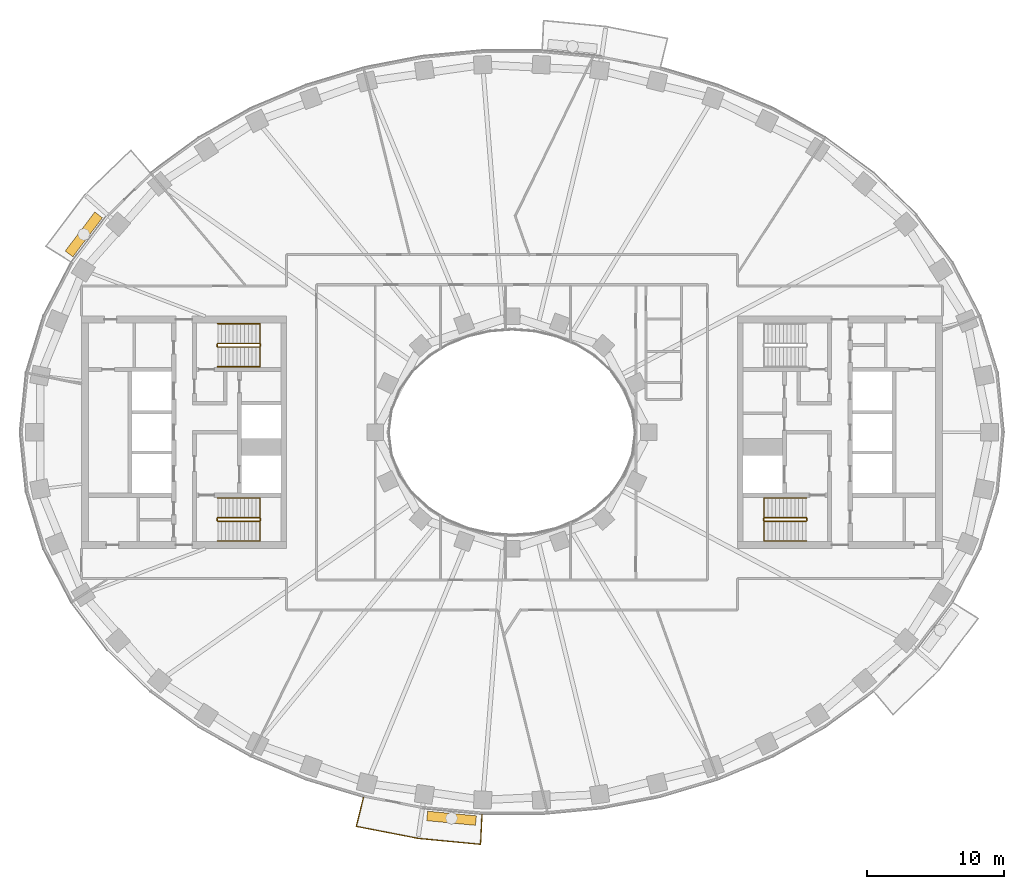
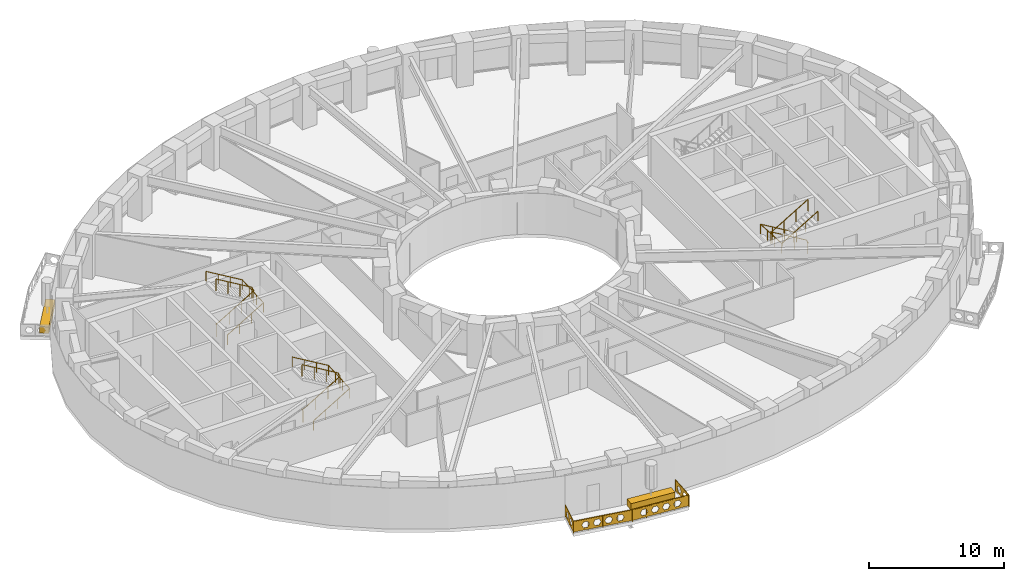
# One storey, part 14 of 16: 7 railings, 2 coverings.
"""IFC4 building model written with IfcOpenShell, lengths in metres."""

from ifc_helpers import new_model, si_unit, direction, frame, origin, origin_2d, place, context, subcontext, project, spatial, polyline, rectangle, outline, extrude, material, type_object, element, save


model = new_model("IFC4")

# Units and contexts
model_context = context("Model", 3, precision=1e-05, world=origin(), true_north=direction((0.0, 1.0)))
body_context = subcontext(model_context, "Body", "Model", "MODEL_VIEW")
ifc_project = project(units=[si_unit("LENGTHUNIT", "METRE"), si_unit("AREAUNIT", "SQUARE_METRE"), si_unit("VOLUMEUNIT", "CUBIC_METRE"), si_unit("PLANEANGLEUNIT", "RADIAN"), si_unit("MASSUNIT", "GRAM", prefix="KILO")], contexts=[model_context])

# Site, building, storey
site_placement = place(None, origin())
site = spatial("IfcSite", under=ifc_project, at=site_placement, CompositionType="ELEMENT")
building_placement = place(site_placement, origin())
building = spatial("IfcBuilding", under=site, at=building_placement, Name="Noorbagh Ring Tower", CompositionType="ELEMENT")
storey_placement = place(building_placement, frame((0.0, 0.0, 100.0)))
storey = spatial("IfcBuildingStorey", under=building, at=storey_placement, Name="L22", CompositionType="ELEMENT", Elevation=100.0)

# Railings
ifc_material_1 = material(Name="Stainless steel", Category="steel")
railing_type_1 = type_object("IfcRailingType", Name="CORE-STAIR-GUARD", PredefinedType="GUARDRAIL", material=ifc_material_1)
railing_1_placement = place(storey_placement, frame((-21.580078125, 6.300048828125, 0.0)))
element("IfcRailing", 1, at=railing_1_placement, inside=storey, type_object=railing_type_1, Name="L22 ST1 stair guard", PredefinedType="GUARDRAIL", context=body_context, shape_type="SweptSolid", body=[
    extrude(rectangle(XDim=0.048095703125, YDim=0.048095703125, at=origin_2d()), frame((0.0, 0.0, 1.076171875), z_axis=(0.0, 1.0, 0.0), x_axis=(-1.0, 0.0, 0.0)), (0.0, 0.0, 1.0), 0.14990234375),
    extrude(rectangle(XDim=0.048095703125, YDim=0.048095703125, at=origin_2d()), frame((0.0, 0.14990234375, 1.076171875), z_axis=(0.188775798145, -0.754182335027, 0.628945707965), x_axis=(0.970072785993, 0.242814311512, 0.0)), (0.0, 0.0, 1.0), 0.26513671875),
    extrude(rectangle(XDim=0.048095703125, YDim=0.048095703125, at=origin_2d()), frame((0.050048828125, -0.050048828125, 1.24267578125), z_axis=(0.859308565015, 0.0, 0.511457515432), x_axis=(0.0, 1.0, 0.0)), (0.0, 0.0, 1.0), 3.58447265625),
    extrude(rectangle(XDim=0.048095703125, YDim=0.048095703125, at=origin_2d()), frame((3.130126953125, -0.050048828125, 3.076171875), z_axis=(0.707106781187, 0.707106781187, 0.0), x_axis=(-0.707106781187, 0.707106781187, 0.0)), (0.0, 0.0, 1.0), 0.07080078125),
    extrude(rectangle(XDim=0.048095703125, YDim=0.048095703125, at=origin_2d()), frame((3.18017578125, 0.0, 3.076171875), z_axis=(0.0, 1.0, 0.0), x_axis=(-1.0, 0.0, 0.0)), (0.0, 0.0, 1.0), 0.14990234375),
    extrude(rectangle(XDim=0.048095703125, YDim=0.048095703125, at=origin_2d()), frame((3.18017578125, 0.14990234375, 3.076171875), z_axis=(-0.27628659633, 0.27628659633, 0.920506074601), x_axis=(-0.707106781187, -0.707106781187, 0.0)), (0.0, 0.0, 1.0), 0.18115234375),
    extrude(rectangle(XDim=0.048095703125, YDim=0.048095703125, at=origin_2d()), frame((3.130126953125, 0.199951171875, 3.24267578125), z_axis=(-0.859308565015, 0.0, 0.511457515432), x_axis=(0.0, -1.0, 0.0)), (0.0, 0.0, 1.0), 3.58447265625),
    extrude(rectangle(XDim=0.0419921875, YDim=0.0419921875, at=origin_2d()), origin(), (0.0, 0.0, 1.0), 1.052001953125),
    extrude(rectangle(XDim=0.0419921875, YDim=0.0419921875, at=origin_2d()), frame((1.07666015625, -0.050048828125, 0.77783203125)), (0.0, 0.0, 1.0), 1.052001953125),
    extrude(rectangle(XDim=0.0419921875, YDim=0.0419921875, at=origin_2d()), frame((2.103515625, -0.050048828125, 1.388916015625)), (0.0, 0.0, 1.0), 1.052001953125),
    extrude(rectangle(XDim=0.0419921875, YDim=0.0419921875, at=origin_2d()), frame((3.130126953125, -0.050048828125, 2.0)), (0.0, 0.0, 1.0), 1.052001953125),
    extrude(rectangle(XDim=0.0419921875, YDim=0.0419921875, at=origin_2d()), frame((3.130126953125, 0.199951171875, 2.166748046875)), (0.0, 0.0, 1.0), 1.052001953125),
    extrude(rectangle(XDim=0.0419921875, YDim=0.0419921875, at=origin_2d()), frame((2.103515625, 0.199951171875, 2.77783203125)), (0.0, 0.0, 1.0), 1.052001953125),
    extrude(rectangle(XDim=0.0419921875, YDim=0.0419921875, at=origin_2d()), frame((1.07666015625, 0.199951171875, 3.388916015625)), (0.0, 0.0, 1.0), 1.052001953125),
    extrude(rectangle(XDim=0.0419921875, YDim=0.0419921875, at=origin_2d()), frame((0.050048828125, 0.199951171875, 4.0)), (0.0, 0.0, 1.0), 1.052001953125),
])
railing_2_placement = place(storey_placement, frame((-21.580078125, -6.449951171875, 0.0)))
element("IfcRailing", 2, at=railing_2_placement, inside=storey, type_object=railing_type_1, Name="L22 ST2 stair guard", PredefinedType="GUARDRAIL", context=body_context, shape_type="SweptSolid", body=[
    extrude(rectangle(XDim=0.048095703125, YDim=0.048095703125, at=origin_2d()), frame((0.0, 0.0, 1.076171875), z_axis=(0.0, 1.0, 0.0), x_axis=(-1.0, 0.0, 0.0)), (0.0, 0.0, 1.0), 0.14990234375),
    extrude(rectangle(XDim=0.048095703125, YDim=0.048095703125, at=origin_2d()), frame((0.0, 0.14990234375, 1.076171875), z_axis=(0.188775798145, -0.754182335027, 0.628945707965), x_axis=(0.970072785993, 0.242814311512, 0.0)), (0.0, 0.0, 1.0), 0.26513671875),
    extrude(rectangle(XDim=0.048095703125, YDim=0.048095703125, at=origin_2d()), frame((0.050048828125, -0.050048828125, 1.24267578125), z_axis=(0.859308565015, 0.0, 0.511457515432), x_axis=(0.0, 1.0, 0.0)), (0.0, 0.0, 1.0), 3.58447265625),
    extrude(rectangle(XDim=0.048095703125, YDim=0.048095703125, at=origin_2d()), frame((3.130126953125, -0.050048828125, 3.076171875), z_axis=(0.707106781187, 0.707106781187, 0.0), x_axis=(-0.707106781187, 0.707106781187, 0.0)), (0.0, 0.0, 1.0), 0.07080078125),
    extrude(rectangle(XDim=0.048095703125, YDim=0.048095703125, at=origin_2d()), frame((3.18017578125, 0.0, 3.076171875), z_axis=(0.0, 1.0, 0.0), x_axis=(-1.0, 0.0, 0.0)), (0.0, 0.0, 1.0), 0.14990234375),
    extrude(rectangle(XDim=0.048095703125, YDim=0.048095703125, at=origin_2d()), frame((3.18017578125, 0.14990234375, 3.076171875), z_axis=(-0.27628659633, 0.27628659633, 0.920506074601), x_axis=(-0.707106781187, -0.707106781187, 0.0)), (0.0, 0.0, 1.0), 0.18115234375),
    extrude(rectangle(XDim=0.048095703125, YDim=0.048095703125, at=origin_2d()), frame((3.130126953125, 0.199951171875, 3.24267578125), z_axis=(-0.859308565015, 0.0, 0.511457515432), x_axis=(0.0, -1.0, 0.0)), (0.0, 0.0, 1.0), 3.58447265625),
    extrude(rectangle(XDim=0.0419921875, YDim=0.0419921875, at=origin_2d()), origin(), (0.0, 0.0, 1.0), 1.052001953125),
    extrude(rectangle(XDim=0.0419921875, YDim=0.0419921875, at=origin_2d()), frame((1.07666015625, -0.050048828125, 0.77783203125)), (0.0, 0.0, 1.0), 1.052001953125),
    extrude(rectangle(XDim=0.0419921875, YDim=0.0419921875, at=origin_2d()), frame((2.103515625, -0.050048828125, 1.388916015625)), (0.0, 0.0, 1.0), 1.052001953125),
    extrude(rectangle(XDim=0.0419921875, YDim=0.0419921875, at=origin_2d()), frame((3.130126953125, -0.050048828125, 2.0)), (0.0, 0.0, 1.0), 1.052001953125),
    extrude(rectangle(XDim=0.0419921875, YDim=0.0419921875, at=origin_2d()), frame((3.130126953125, 0.199951171875, 2.166748046875)), (0.0, 0.0, 1.0), 1.052001953125),
    extrude(rectangle(XDim=0.0419921875, YDim=0.0419921875, at=origin_2d()), frame((2.103515625, 0.199951171875, 2.77783203125)), (0.0, 0.0, 1.0), 1.052001953125),
    extrude(rectangle(XDim=0.0419921875, YDim=0.0419921875, at=origin_2d()), frame((1.07666015625, 0.199951171875, 3.388916015625)), (0.0, 0.0, 1.0), 1.052001953125),
    extrude(rectangle(XDim=0.0419921875, YDim=0.0419921875, at=origin_2d()), frame((0.050048828125, 0.199951171875, 4.0)), (0.0, 0.0, 1.0), 1.052001953125),
])
railing_3_placement = place(storey_placement, frame((21.580078125, -6.300048828125, 0.0)))
element("IfcRailing", 3, at=railing_3_placement, inside=storey, type_object=railing_type_1, Name="L22 ST4 stair guard", PredefinedType="GUARDRAIL", context=body_context, shape_type="SweptSolid", body=[
    extrude(rectangle(XDim=0.048095703125, YDim=0.048095703125, at=origin_2d()), frame((0.0, 0.0, 1.076171875), z_axis=(0.0, -1.0, 0.0), x_axis=(1.0, 0.0, 0.0)), (0.0, 0.0, 1.0), 0.14990234375),
    extrude(rectangle(XDim=0.048095703125, YDim=0.048095703125, at=origin_2d()), frame((0.0, -0.14990234375, 1.076171875), z_axis=(-0.188775798145, 0.754182335027, 0.628945707965), x_axis=(-0.970072785993, -0.242814311512, 0.0)), (0.0, 0.0, 1.0), 0.26513671875),
    extrude(rectangle(XDim=0.048095703125, YDim=0.048095703125, at=origin_2d()), frame((-0.050048828125, 0.050048828125, 1.24267578125), z_axis=(-0.859308565015, 0.0, 0.511457515432), x_axis=(0.0, -1.0, 0.0)), (0.0, 0.0, 1.0), 3.58447265625),
    extrude(rectangle(XDim=0.048095703125, YDim=0.048095703125, at=origin_2d()), frame((-3.130126953125, 0.050048828125, 3.076171875), z_axis=(-0.707106781187, -0.707106781187, 0.0), x_axis=(0.707106781187, -0.707106781187, 0.0)), (0.0, 0.0, 1.0), 0.07080078125),
    extrude(rectangle(XDim=0.048095703125, YDim=0.048095703125, at=origin_2d()), frame((-3.18017578125, 0.0, 3.076171875), z_axis=(0.0, -1.0, 0.0), x_axis=(1.0, 0.0, 0.0)), (0.0, 0.0, 1.0), 0.14990234375),
    extrude(rectangle(XDim=0.048095703125, YDim=0.048095703125, at=origin_2d()), frame((-3.18017578125, -0.14990234375, 3.076171875), z_axis=(0.27628659633, -0.27628659633, 0.920506074601), x_axis=(0.707106781187, 0.707106781187, 0.0)), (0.0, 0.0, 1.0), 0.18115234375),
    extrude(rectangle(XDim=0.048095703125, YDim=0.048095703125, at=origin_2d()), frame((-3.130126953125, -0.199951171875, 3.24267578125), z_axis=(0.859308565015, 0.0, 0.511457515432), x_axis=(0.0, 1.0, 0.0)), (0.0, 0.0, 1.0), 3.58447265625),
    extrude(rectangle(XDim=0.0419921875, YDim=0.0419921875, at=origin_2d()), origin(), (0.0, 0.0, 1.0), 1.052001953125),
    extrude(rectangle(XDim=0.0419921875, YDim=0.0419921875, at=origin_2d()), frame((-1.07666015625, 0.050048828125, 0.77783203125)), (0.0, 0.0, 1.0), 1.052001953125),
    extrude(rectangle(XDim=0.0419921875, YDim=0.0419921875, at=origin_2d()), frame((-2.103515625, 0.050048828125, 1.388916015625)), (0.0, 0.0, 1.0), 1.052001953125),
    extrude(rectangle(XDim=0.0419921875, YDim=0.0419921875, at=origin_2d()), frame((-3.130126953125, 0.050048828125, 2.0)), (0.0, 0.0, 1.0), 1.052001953125),
    extrude(rectangle(XDim=0.0419921875, YDim=0.0419921875, at=origin_2d()), frame((-3.130126953125, -0.199951171875, 2.166748046875)), (0.0, 0.0, 1.0), 1.052001953125),
    extrude(rectangle(XDim=0.0419921875, YDim=0.0419921875, at=origin_2d()), frame((-2.103515625, -0.199951171875, 2.77783203125)), (0.0, 0.0, 1.0), 1.052001953125),
    extrude(rectangle(XDim=0.0419921875, YDim=0.0419921875, at=origin_2d()), frame((-1.07666015625, -0.199951171875, 3.388916015625)), (0.0, 0.0, 1.0), 1.052001953125),
    extrude(rectangle(XDim=0.0419921875, YDim=0.0419921875, at=origin_2d()), frame((-0.050048828125, -0.199951171875, 4.0)), (0.0, 0.0, 1.0), 1.052001953125),
])
ifc_material_2 = material(Name="Stainless steel", Category="steel")
railing_type_2 = type_object("IfcRailingType", Name="CORE-STAIR-HANDRAIL", PredefinedType="HANDRAIL", material=ifc_material_2)
railing_4_placement = place(storey_placement, frame((-21.530029296875, 4.800048828125, 0.166748046875)))
element("IfcRailing", 4, at=railing_4_placement, inside=storey, type_object=railing_type_2, Name="L22 ST1 stair handrail", PredefinedType="HANDRAIL", context=body_context, shape_type="SweptSolid", body=[
    extrude(rectangle(XDim=0.048095703125, YDim=0.048095703125, at=origin_2d()), frame((0.0, 0.0, 0.8759765625), z_axis=(0.859308565015, 0.0, 0.511457515432), x_axis=(0.0, 1.0, 0.0)), (0.0, 0.0, 1.0), 3.58447265625),
    extrude(rectangle(XDim=0.048095703125, YDim=0.048095703125, at=origin_2d()), frame((3.080078125, 0.0, 2.708984375), z_axis=(0.0, 0.998601747152, 0.052863509014), x_axis=(-1.0, 0.0, 0.0)), (0.0, 0.0, 1.0), 3.154296875),
    extrude(rectangle(XDim=0.048095703125, YDim=0.048095703125, at=origin_2d()), frame((3.080078125, 3.14990234375, 2.8759765625), z_axis=(-0.859308565015, 0.0, 0.511457515432), x_axis=(0.0, -1.0, 0.0)), (0.0, 0.0, 1.0), 3.58447265625),
    extrude(rectangle(XDim=0.0419921875, YDim=0.0419921875, at=origin_2d()), origin(), (0.0, 0.0, 1.0), 0.851806640625),
    extrude(rectangle(XDim=0.0419921875, YDim=0.0419921875, at=origin_2d()), frame((1.026611328125, 0.0, 0.611083984375)), (0.0, 0.0, 1.0), 0.851806640625),
    extrude(rectangle(XDim=0.0419921875, YDim=0.0419921875, at=origin_2d()), frame((2.053466796875, 0.0, 1.22216796875)), (0.0, 0.0, 1.0), 0.851806640625),
    extrude(rectangle(XDim=0.0419921875, YDim=0.0419921875, at=origin_2d()), frame((3.080078125, 0.0, 1.833251953125)), (0.0, 0.0, 1.0), 0.851806640625),
    extrude(rectangle(XDim=0.0419921875, YDim=0.0419921875, at=origin_2d()), frame((3.080078125, 1.050048828125, 1.888916015625)), (0.0, 0.0, 1.0), 0.851806640625),
    extrude(rectangle(XDim=0.0419921875, YDim=0.0419921875, at=origin_2d()), frame((3.080078125, 2.099853515625, 1.9443359375)), (0.0, 0.0, 1.0), 0.851806640625),
    extrude(rectangle(XDim=0.0419921875, YDim=0.0419921875, at=origin_2d()), frame((3.080078125, 3.14990234375, 2.0)), (0.0, 0.0, 1.0), 0.851806640625),
    extrude(rectangle(XDim=0.0419921875, YDim=0.0419921875, at=origin_2d()), frame((2.053466796875, 3.14990234375, 2.611083984375)), (0.0, 0.0, 1.0), 0.851806640625),
    extrude(rectangle(XDim=0.0419921875, YDim=0.0419921875, at=origin_2d()), frame((1.026611328125, 3.14990234375, 3.22216796875)), (0.0, 0.0, 1.0), 0.851806640625),
    extrude(rectangle(XDim=0.0419921875, YDim=0.0419921875, at=origin_2d()), frame((0.0, 3.14990234375, 3.833251953125)), (0.0, 0.0, 1.0), 0.851806640625),
])
railing_5_placement = place(storey_placement, frame((-21.530029296875, -7.949951171875, 0.166748046875)))
element("IfcRailing", 5, at=railing_5_placement, inside=storey, type_object=railing_type_2, Name="L22 ST2 stair handrail", PredefinedType="HANDRAIL", context=body_context, shape_type="SweptSolid", body=[
    extrude(rectangle(XDim=0.048095703125, YDim=0.048095703125, at=origin_2d()), frame((0.0, 0.0, 0.8759765625), z_axis=(0.859308565015, 0.0, 0.511457515432), x_axis=(0.0, 1.0, 0.0)), (0.0, 0.0, 1.0), 3.58447265625),
    extrude(rectangle(XDim=0.048095703125, YDim=0.048095703125, at=origin_2d()), frame((3.080078125, 0.0, 2.708984375), z_axis=(0.0, 0.998601747152, 0.052863509014), x_axis=(-1.0, 0.0, 0.0)), (0.0, 0.0, 1.0), 3.154296875),
    extrude(rectangle(XDim=0.048095703125, YDim=0.048095703125, at=origin_2d()), frame((3.080078125, 3.14990234375, 2.8759765625), z_axis=(-0.859308565015, 0.0, 0.511457515432), x_axis=(0.0, -1.0, 0.0)), (0.0, 0.0, 1.0), 3.58447265625),
    extrude(rectangle(XDim=0.0419921875, YDim=0.0419921875, at=origin_2d()), origin(), (0.0, 0.0, 1.0), 0.851806640625),
    extrude(rectangle(XDim=0.0419921875, YDim=0.0419921875, at=origin_2d()), frame((1.026611328125, 0.0, 0.611083984375)), (0.0, 0.0, 1.0), 0.851806640625),
    extrude(rectangle(XDim=0.0419921875, YDim=0.0419921875, at=origin_2d()), frame((2.053466796875, 0.0, 1.22216796875)), (0.0, 0.0, 1.0), 0.851806640625),
    extrude(rectangle(XDim=0.0419921875, YDim=0.0419921875, at=origin_2d()), frame((3.080078125, 0.0, 1.833251953125)), (0.0, 0.0, 1.0), 0.851806640625),
    extrude(rectangle(XDim=0.0419921875, YDim=0.0419921875, at=origin_2d()), frame((3.080078125, 1.050048828125, 1.888916015625)), (0.0, 0.0, 1.0), 0.851806640625),
    extrude(rectangle(XDim=0.0419921875, YDim=0.0419921875, at=origin_2d()), frame((3.080078125, 2.099853515625, 1.9443359375)), (0.0, 0.0, 1.0), 0.851806640625),
    extrude(rectangle(XDim=0.0419921875, YDim=0.0419921875, at=origin_2d()), frame((3.080078125, 3.14990234375, 2.0)), (0.0, 0.0, 1.0), 0.851806640625),
    extrude(rectangle(XDim=0.0419921875, YDim=0.0419921875, at=origin_2d()), frame((2.053466796875, 3.14990234375, 2.611083984375)), (0.0, 0.0, 1.0), 0.851806640625),
    extrude(rectangle(XDim=0.0419921875, YDim=0.0419921875, at=origin_2d()), frame((1.026611328125, 3.14990234375, 3.22216796875)), (0.0, 0.0, 1.0), 0.851806640625),
    extrude(rectangle(XDim=0.0419921875, YDim=0.0419921875, at=origin_2d()), frame((0.0, 3.14990234375, 3.833251953125)), (0.0, 0.0, 1.0), 0.851806640625),
])
railing_6_placement = place(storey_placement, frame((21.530029296875, -4.800048828125, 0.166748046875)))
element("IfcRailing", 6, at=railing_6_placement, inside=storey, type_object=railing_type_2, Name="L22 ST4 stair handrail", PredefinedType="HANDRAIL", context=body_context, shape_type="SweptSolid", body=[
    extrude(rectangle(XDim=0.048095703125, YDim=0.048095703125, at=origin_2d()), frame((0.0, 0.0, 0.8759765625), z_axis=(-0.859308565015, 0.0, 0.511457515432), x_axis=(0.0, -1.0, 0.0)), (0.0, 0.0, 1.0), 3.58447265625),
    extrude(rectangle(XDim=0.048095703125, YDim=0.048095703125, at=origin_2d()), frame((-3.080078125, 0.0, 2.708984375), z_axis=(0.0, -0.998601747152, 0.052863509014), x_axis=(1.0, 0.0, 0.0)), (0.0, 0.0, 1.0), 3.154296875),
    extrude(rectangle(XDim=0.048095703125, YDim=0.048095703125, at=origin_2d()), frame((-3.080078125, -3.14990234375, 2.8759765625), z_axis=(0.859308565015, 0.0, 0.511457515432), x_axis=(0.0, 1.0, 0.0)), (0.0, 0.0, 1.0), 3.58447265625),
    extrude(rectangle(XDim=0.0419921875, YDim=0.0419921875, at=origin_2d()), origin(), (0.0, 0.0, 1.0), 0.851806640625),
    extrude(rectangle(XDim=0.0419921875, YDim=0.0419921875, at=origin_2d()), frame((-1.026611328125, 0.0, 0.611083984375)), (0.0, 0.0, 1.0), 0.851806640625),
    extrude(rectangle(XDim=0.0419921875, YDim=0.0419921875, at=origin_2d()), frame((-2.053466796875, 0.0, 1.22216796875)), (0.0, 0.0, 1.0), 0.851806640625),
    extrude(rectangle(XDim=0.0419921875, YDim=0.0419921875, at=origin_2d()), frame((-3.080078125, 0.0, 1.833251953125)), (0.0, 0.0, 1.0), 0.851806640625),
    extrude(rectangle(XDim=0.0419921875, YDim=0.0419921875, at=origin_2d()), frame((-3.080078125, -1.050048828125, 1.888916015625)), (0.0, 0.0, 1.0), 0.851806640625),
    extrude(rectangle(XDim=0.0419921875, YDim=0.0419921875, at=origin_2d()), frame((-3.080078125, -2.099853515625, 1.9443359375)), (0.0, 0.0, 1.0), 0.851806640625),
    extrude(rectangle(XDim=0.0419921875, YDim=0.0419921875, at=origin_2d()), frame((-3.080078125, -3.14990234375, 2.0)), (0.0, 0.0, 1.0), 0.851806640625),
    extrude(rectangle(XDim=0.0419921875, YDim=0.0419921875, at=origin_2d()), frame((-2.053466796875, -3.14990234375, 2.611083984375)), (0.0, 0.0, 1.0), 0.851806640625),
    extrude(rectangle(XDim=0.0419921875, YDim=0.0419921875, at=origin_2d()), frame((-1.026611328125, -3.14990234375, 3.22216796875)), (0.0, 0.0, 1.0), 0.851806640625),
    extrude(rectangle(XDim=0.0419921875, YDim=0.0419921875, at=origin_2d()), frame((0.0, -3.14990234375, 3.833251953125)), (0.0, 0.0, 1.0), 0.851806640625),
])
ifc_material_3 = material(Name="Steel S275 black powder-coated", Category="steel")
railing_type_3 = type_object("IfcRailingType", Name="ENV-GUARD", PredefinedType="GUARDRAIL", material=ifc_material_3)
railing_7_placement = place(storey_placement, frame((-10.865234375, -26.6943359375, 0.0)))
element("IfcRailing", 7, at=railing_7_placement, inside=storey, type_object=railing_type_3, Name="Balcony guard BS03", PredefinedType="GUARDRAIL", context=body_context, shape_type="SweptSolid", body=[
    extrude(rectangle(XDim=0.048095703125, YDim=0.048095703125, at=origin_2d()), frame((0.0, 0.0, 1.076171875), z_axis=(-0.239848558412, -0.970810315679, 0.0), x_axis=(0.970810315679, -0.239848558412, 0.0)), (0.0, 0.0, 1.0), 2.20263671875),
    extrude(rectangle(XDim=0.048095703125, YDim=0.048095703125, at=origin_2d()), frame((-0.5283203125, -2.138427734375, 1.076171875), z_axis=(0.981625049064, -0.1908199755, 0.0), x_axis=(0.1908199755, 0.981625049064, 0.0)), (0.0, 0.0, 1.0), 4.603271484375),
    extrude(rectangle(XDim=0.048095703125, YDim=0.048095703125, at=origin_2d()), frame((3.990478515625, -3.016845703125, 1.076171875), z_axis=(0.995477555764, -0.094997031379, 0.0), x_axis=(0.094997031379, 0.995477555764, 0.0)), (0.0, 0.0, 1.0), 4.59765625),
    extrude(rectangle(XDim=0.048095703125, YDim=0.048095703125, at=origin_2d()), frame((8.5673828125, -3.45361328125, 1.076171875), z_axis=(0.047554616162, 0.998868639252, 0.0), x_axis=(-0.998868639252, 0.047554616162, 0.0)), (0.0, 0.0, 1.0), 2.202392578125),
    extrude(rectangle(XDim=0.0419921875, YDim=0.0419921875, at=origin_2d()), origin(), (0.0, 0.0, 1.0), 1.052001953125),
    extrude(rectangle(XDim=0.0419921875, YDim=0.0419921875, at=origin_2d()), frame((-0.26416015625, -1.0693359375, 0.0)), (0.0, 0.0, 1.0), 1.052001953125),
    extrude(rectangle(XDim=0.0419921875, YDim=0.0419921875, at=origin_2d()), frame((-0.5283203125, -2.138427734375, 0.0)), (0.0, 0.0, 1.0), 1.052001953125),
    extrude(rectangle(XDim=0.0419921875, YDim=0.0419921875, at=origin_2d()), frame((0.601318359375, -2.35791015625, 0.0)), (0.0, 0.0, 1.0), 1.052001953125),
    extrude(rectangle(XDim=0.0419921875, YDim=0.0419921875, at=origin_2d()), frame((1.73095703125, -2.57763671875, 0.0)), (0.0, 0.0, 1.0), 1.052001953125),
    extrude(rectangle(XDim=0.0419921875, YDim=0.0419921875, at=origin_2d()), frame((2.86083984375, -2.79736328125, 0.0)), (0.0, 0.0, 1.0), 1.052001953125),
    extrude(rectangle(XDim=0.0419921875, YDim=0.0419921875, at=origin_2d()), frame((3.990478515625, -3.016845703125, 0.0)), (0.0, 0.0, 1.0), 1.052001953125),
    extrude(rectangle(XDim=0.0419921875, YDim=0.0419921875, at=origin_2d()), frame((5.134765625, -3.1259765625, 0.0)), (0.0, 0.0, 1.0), 1.052001953125),
    extrude(rectangle(XDim=0.0419921875, YDim=0.0419921875, at=origin_2d()), frame((6.27880859375, -3.2353515625, 0.0)), (0.0, 0.0, 1.0), 1.052001953125),
    extrude(rectangle(XDim=0.0419921875, YDim=0.0419921875, at=origin_2d()), frame((7.423095703125, -3.344482421875, 0.0)), (0.0, 0.0, 1.0), 1.052001953125),
    extrude(rectangle(XDim=0.0419921875, YDim=0.0419921875, at=origin_2d()), frame((8.5673828125, -3.45361328125, 0.0)), (0.0, 0.0, 1.0), 1.052001953125),
    extrude(rectangle(XDim=0.0419921875, YDim=0.0419921875, at=origin_2d()), frame((8.61962890625, -2.353515625, 0.0)), (0.0, 0.0, 1.0), 1.052001953125),
    extrude(rectangle(XDim=0.0419921875, YDim=0.0419921875, at=origin_2d()), frame((8.672119140625, -1.253662109375, 0.0)), (0.0, 0.0, 1.0), 1.052001953125),
    extrude(outline(polyline([(0.0, 0.10009765625), (2.20263671875, 0.10009765625), (2.20263671875, 1.031982421875), (0.0, 1.031982421875), (0.0, 0.10009765625)]), holes=[polyline([(0.96142578125, 0.56591796875), (0.806396484375, 0.83447265625), (0.496337890625, 0.83447265625), (0.34130859375, 0.56591796875), (0.496337890625, 0.297607421875), (0.806396484375, 0.297607421875), (0.96142578125, 0.56591796875)]), polyline([(1.861328125, 0.56591796875), (1.706298828125, 0.83447265625), (1.396240234375, 0.83447265625), (1.241455078125, 0.56591796875), (1.396240234375, 0.297607421875), (1.706298828125, 0.297607421875), (1.861328125, 0.56591796875)])]), frame((0.009765625, -0.00244140625, 0.0), z_axis=(-0.970810315679, 0.239848558412, 0.0), x_axis=(-0.239848558412, -0.970810315679, 0.0)), (0.0, 0.0, 1.0), 0.02001953125),
    extrude(outline(polyline([(0.0, 0.10009765625), (4.603271484375, 0.10009765625), (4.603271484375, 1.031982421875), (0.0, 1.031982421875), (0.0, 0.10009765625)]), holes=[polyline([(1.26171875, 0.56591796875), (1.106689453125, 0.83447265625), (0.796630859375, 0.83447265625), (0.6416015625, 0.56591796875), (0.796630859375, 0.297607421875), (1.106689453125, 0.297607421875), (1.26171875, 0.56591796875)]), polyline([(2.16162109375, 0.56591796875), (2.006591796875, 0.83447265625), (1.69677734375, 0.83447265625), (1.541748046875, 0.56591796875), (1.69677734375, 0.297607421875), (2.006591796875, 0.297607421875), (2.16162109375, 0.56591796875)]), polyline([(3.061767578125, 0.56591796875), (2.90673828125, 0.83447265625), (2.5966796875, 0.83447265625), (2.441650390625, 0.56591796875), (2.5966796875, 0.297607421875), (2.90673828125, 0.297607421875), (3.061767578125, 0.56591796875)]), polyline([(3.961669921875, 0.56591796875), (3.806640625, 0.83447265625), (3.49658203125, 0.83447265625), (3.341796875, 0.56591796875), (3.49658203125, 0.297607421875), (3.806640625, 0.297607421875), (3.961669921875, 0.56591796875)])]), frame((-0.5263671875, -2.128662109375, 0.0), z_axis=(-0.1908199755, -0.981625049064, 0.0), x_axis=(0.981625049064, -0.1908199755, 0.0)), (0.0, 0.0, 1.0), 0.02001953125),
    extrude(outline(polyline([(0.0, 0.10009765625), (4.59765625, 0.10009765625), (4.59765625, 1.031982421875), (0.0, 1.031982421875), (0.0, 0.10009765625)]), holes=[polyline([(1.2587890625, 0.56591796875), (1.103759765625, 0.83447265625), (0.7939453125, 0.83447265625), (0.638916015625, 0.56591796875), (0.7939453125, 0.297607421875), (1.103759765625, 0.297607421875), (1.2587890625, 0.56591796875)]), polyline([(2.158935546875, 0.56591796875), (2.00390625, 0.83447265625), (1.69384765625, 0.83447265625), (1.538818359375, 0.56591796875), (1.69384765625, 0.297607421875), (2.00390625, 0.297607421875), (2.158935546875, 0.56591796875)]), polyline([(3.058837890625, 0.56591796875), (2.90380859375, 0.83447265625), (2.59375, 0.83447265625), (2.43896484375, 0.56591796875), (2.59375, 0.297607421875), (2.90380859375, 0.297607421875), (3.058837890625, 0.56591796875)]), polyline([(3.958740234375, 0.56591796875), (3.803955078125, 0.83447265625), (3.493896484375, 0.83447265625), (3.3388671875, 0.56591796875), (3.493896484375, 0.297607421875), (3.803955078125, 0.297607421875), (3.958740234375, 0.56591796875)])]), frame((3.991455078125, -3.0068359375, 0.0), z_axis=(-0.094997031379, -0.995477555764, 0.0), x_axis=(0.995477555764, -0.094997031379, 0.0)), (0.0, 0.0, 1.0), 0.02001953125),
    extrude(outline(polyline([(0.0, 0.10009765625), (2.202392578125, 0.10009765625), (2.202392578125, 1.031982421875), (0.0, 1.031982421875), (0.0, 0.10009765625)]), holes=[polyline([(0.961181640625, 0.56591796875), (0.80615234375, 0.83447265625), (0.496337890625, 0.83447265625), (0.34130859375, 0.56591796875), (0.496337890625, 0.297607421875), (0.80615234375, 0.297607421875), (0.961181640625, 0.56591796875)]), polyline([(1.861328125, 0.56591796875), (1.706298828125, 0.83447265625), (1.396240234375, 0.83447265625), (1.2412109375, 0.56591796875), (1.396240234375, 0.297607421875), (1.706298828125, 0.297607421875), (1.861328125, 0.56591796875)])]), frame((8.557373046875, -3.453125, 0.0), z_axis=(0.998868639252, -0.047554616162, 0.0), x_axis=(0.047554616162, 0.998868639252, 0.0)), (0.0, 0.0, 1.0), 0.02001953125),
])

# Coverings
ifc_material_4 = material(Name="Concrete C30/37 planter with soil", Category="concrete")
covering_type = type_object("IfcCoveringType", Name="ENV-PLANTER", PredefinedType="CLADDING", material=ifc_material_4)
covering_1_placement = place(storey_placement, frame((-31.329833984375, 14.4833984375, 0.0), z_axis=(0.0, 0.0, 1.0), x_axis=(-0.604020184358, -0.796969018776, 0.0)))
element("IfcCovering", 8, at=covering_1_placement, inside=storey, type_object=covering_type, Name="PLANTER BN06", ObjectType="PLANTER", PredefinedType="CLADDING", context=body_context, shape_type="SweptSolid", body=[
    extrude(rectangle(XDim=3.583251953125, YDim=0.699951171875, at=origin_2d()), origin(), (0.0, 0.0, 1.0), 0.60009765625),
])
covering_2_placement = place(storey_placement, frame((-4.423828125, -28.2373046875, 0.0), z_axis=(0.0, 0.0, 1.0), x_axis=(0.995476497323, -0.095008122171, 0.0)))
element("IfcCovering", 9, at=covering_2_placement, inside=storey, type_object=covering_type, Name="PLANTER BS03", ObjectType="PLANTER", PredefinedType="CLADDING", context=body_context, shape_type="SweptSolid", body=[
    extrude(rectangle(XDim=3.58642578125, YDim=0.699951171875, at=origin_2d()), origin(), (0.0, 0.0, 1.0), 0.60009765625),
])

save(model, "model.ifc")
